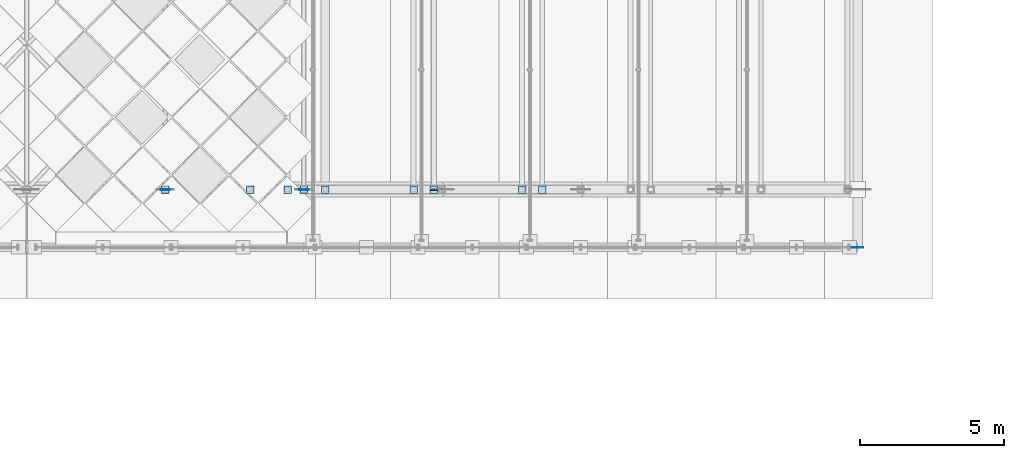
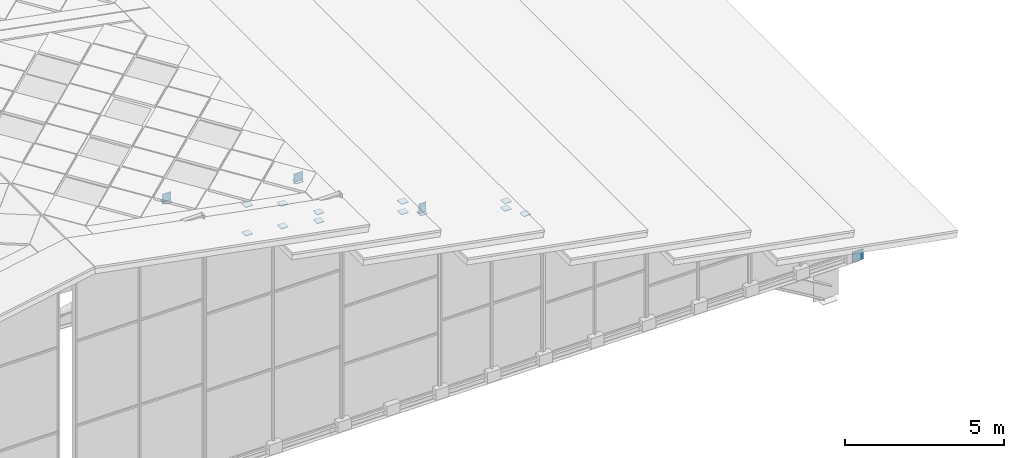
# One storey, part 103 of 117: 18 plates.
"""IFC4 building model written with IfcOpenShell, lengths in metres."""

from ifc_helpers import new_model, si_unit, direction, frame, origin, origin_2d, place, context, subcontext, project, spatial, rectangle, extrude, material, layer, layer_set, type_object, element, save


model = new_model("IFC4")

# Units and contexts
model_context = context("Model", 3, precision=1e-05, world=origin(), true_north=direction((0.0, 1.0)))
body_context = subcontext(model_context, "Body", "Model", "MODEL_VIEW")
ifc_project = project(units=[si_unit("LENGTHUNIT", "METRE"), si_unit("AREAUNIT", "SQUARE_METRE"), si_unit("VOLUMEUNIT", "CUBIC_METRE"), si_unit("PLANEANGLEUNIT", "RADIAN"), si_unit("MASSUNIT", "GRAM", prefix="KILO")], contexts=[model_context])

# Site, building, storey
site_placement = place(None, origin())
site = spatial("IfcSite", under=ifc_project, at=site_placement, CompositionType="ELEMENT")
building_placement = place(site_placement, origin())
building = spatial("IfcBuilding", under=site, at=building_placement, Name="Merenkruunu Market Hall", CompositionType="ELEMENT")
storey_placement = place(building_placement, frame((0.0, 0.0, 22.800048828125)))
storey = spatial("IfcBuildingStorey", under=building, at=storey_placement, Name="RF", CompositionType="ELEMENT", Elevation=22.800048828125)

# Plates
ifc_material = material(Name="Steel S355ML", Category="steel")
ifc_layer_1 = layer(ifc_material, 0.02001953125)
ifc_layer_set_1 = layer_set([ifc_layer_1], Name="Steel S355ML")
plate_type_1 = type_object("IfcPlateType", Name="Truss Gusset Or Cap Plate CP04", PredefinedType="USERDEFINED", material=ifc_layer_set_1)
for number, where, z_axis, x_axis, name in (
    (1, (33.60009765625, 17.60009765625, 0.40185546875), (0.0, 0.0, 1.0), (1.0, 0.0, 0.0), "PLT-AT-1-PCAP-07"),
    (2, (38.39990234375, 17.60009765625, -0.50048828125), (0.0, 0.0, 1.0), (1.0, 0.0, 0.0), "PLT-AT-1-PCAP-08"),
    (3, (46.669921875, 17.60009765625, -4.65234375), (0.0, 0.0, 1.0), (1.0, 0.0, 0.0), "PLT-AT-1-RCAP-E3-2"),
    (4, (45.969970703125, 17.60009765625, -4.203125), (0.0, 0.0, 1.0), (1.0, 0.0, 0.0), "PLT-AT-1-RBASE-E4-1"),
    (5, (45.969970703125, 17.60009765625, -3.920166015625), (0.0, 0.0, 1.0), (1.0, 0.0, 0.0), "PLT-AT-1-RCAP-E4-1"),
    (6, (42.909912109375, 17.60009765625, -3.3046875), (0.0, 0.0, 1.0), (1.0, 0.0, 0.0), "PLT-AT-1-RCAP-E4-2"),
    (7, (42.2099609375, 17.60009765625, -3.02099609375), (0.0, 0.0, 1.0), (1.0, 0.0, 0.0), "PLT-AT-1-RBASE-E5-1"),
    (8, (42.2099609375, 17.60009765625, -2.620361328125), (0.0, 0.0, 1.0), (1.0, 0.0, 0.0), "PLT-AT-1-RCAP-E5-1"),
    (9, (39.14990234375, 17.60009765625, -2.2939453125), (0.0, 0.0, 1.0), (1.0, 0.0, 0.0), "PLT-AT-1-RBASE-E5-2"),
    (10, (39.14990234375, 17.60009765625, -1.954345703125), (0.0, 0.0, 1.0), (1.0, 0.0, 0.0), "PLT-AT-1-RCAP-E5-2"),
    (11, (37.840087890625, 17.60009765625, -2.0380859375), (0.0, 0.0, 1.0), (1.0, 0.0, 0.0), "PLT-AT-1-RBASE-E6-1"),
    (12, (37.840087890625, 17.60009765625, -1.1669921875), (0.0, 0.0, 1.0), (1.0, 0.0, 0.0), "PLT-AT-1-RCAP-E6-1"),
    (13, (36.550048828125, 17.60009765625, -1.857177734375), (0.0, 0.0, 1.0), (1.0, 0.0, 0.0), "PLT-AT-1-RBASE-E6-2"),
    (14, (36.550048828125, 17.60009765625, -0.763427734375), (0.0, 0.0, 1.0), (1.0, 0.0, 0.0), "PLT-AT-1-RCAP-E6-2"),
):
    element("IfcPlate", number, at=place(storey_placement, frame(where, z_axis=z_axis, x_axis=x_axis)), inside=storey, type_object=plate_type_1, Name=name, ObjectType="GUSSET_PLATE", PredefinedType="USERDEFINED", context=body_context, shape_type="SweptSolid", body=[
        extrude(rectangle(XDim=0.260009765625, YDim=0.260009765625, at=origin_2d()), origin(), (0.0, 0.0, 1.0), 0.02001953125),
    ])
ifc_layer_2 = layer(ifc_material, 0.02197265625)
ifc_layer_set_2 = layer_set([ifc_layer_2], Name="Steel S355ML")
plate_type_2 = type_object("IfcPlateType", Name="Truss Gusset Or Cap Plate CP05", PredefinedType="USERDEFINED", material=ifc_layer_set_2)
for number, where, z_axis, x_axis, name in (
    (15, (33.60009765625, 17.590087890625, 0.35693359375), (0.0, 0.0, 1.0), (1.0, 0.0, 0.0), "PLT-CROWNCAP-4-1"),
    (16, (38.39990234375, 17.590087890625, -0.54541015625), (0.0, 0.0, 1.0), (1.0, 0.0, 0.0), "PLT-CROWNCAP-5-1"),
):
    element("IfcPlate", number, at=place(storey_placement, frame(where, z_axis=z_axis, x_axis=x_axis)), inside=storey, type_object=plate_type_2, Name=name, ObjectType="GUSSET_PLATE", PredefinedType="USERDEFINED", context=body_context, shape_type="SweptSolid", body=[
        extrude(rectangle(XDim=0.320068359375, YDim=0.02197265625, at=origin_2d()), origin(), (0.0, 0.0, 1.0), 0.3798828125),
    ])
ifc_layer_3 = layer(ifc_material, 0.02392578125)
ifc_layer_set_3 = layer_set([ifc_layer_3], Name="Steel S355ML")
plate_type_3 = type_object("IfcPlateType", Name="Truss Gusset Or Cap Plate CP06", PredefinedType="USERDEFINED", material=ifc_layer_set_3)
plate_1_placement = place(storey_placement, frame((57.60009765625, 15.590087890625, -9.06005859375), z_axis=(0.0, 0.0, 1.0), x_axis=(1.0, 0.0, 0.0)))
element("IfcPlate", 17, at=plate_1_placement, inside=storey, type_object=plate_type_3, Name="PLT-SPCAP-03", ObjectType="GUSSET_PLATE", PredefinedType="USERDEFINED", context=body_context, shape_type="SweptSolid", body=[
    extrude(rectangle(XDim=0.39990234375, YDim=0.02392578125, at=origin_2d()), origin(), (0.0, 0.0, 1.0), 0.39990234375),
])
ifc_layer_4 = layer(ifc_material, 0.02001953125)
ifc_layer_set_4 = layer_set([ifc_layer_4], Name="Steel S355ML")
plate_type_4 = type_object("IfcPlateType", Name="Truss Gusset Or Cap Plate CP07", PredefinedType="USERDEFINED", material=ifc_layer_set_4)
plate_2_placement = place(storey_placement, frame((42.909912109375, 17.590087890625, -3.309814453125), z_axis=(0.0, 0.0, 1.0), x_axis=(1.0, 0.0, 0.0)))
element("IfcPlate", 18, at=plate_2_placement, inside=storey, type_object=plate_type_4, Name="PLT-PRCAP-03", ObjectType="GUSSET_PLATE", PredefinedType="USERDEFINED", context=body_context, shape_type="SweptSolid", body=[
    extrude(rectangle(XDim=0.260009765625, YDim=0.02001953125, at=origin_2d()), origin(), (0.0, 0.0, 1.0), 0.39990234375),
])

save(model, "model.ifc")
